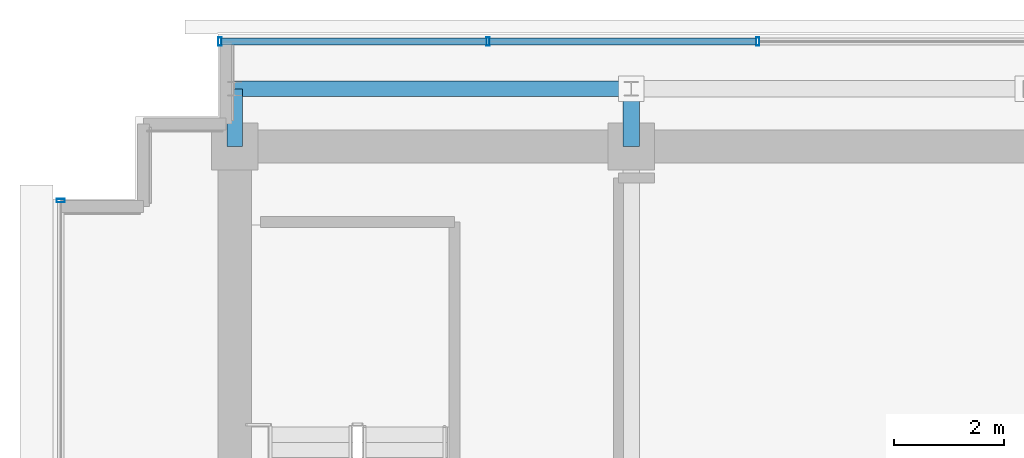
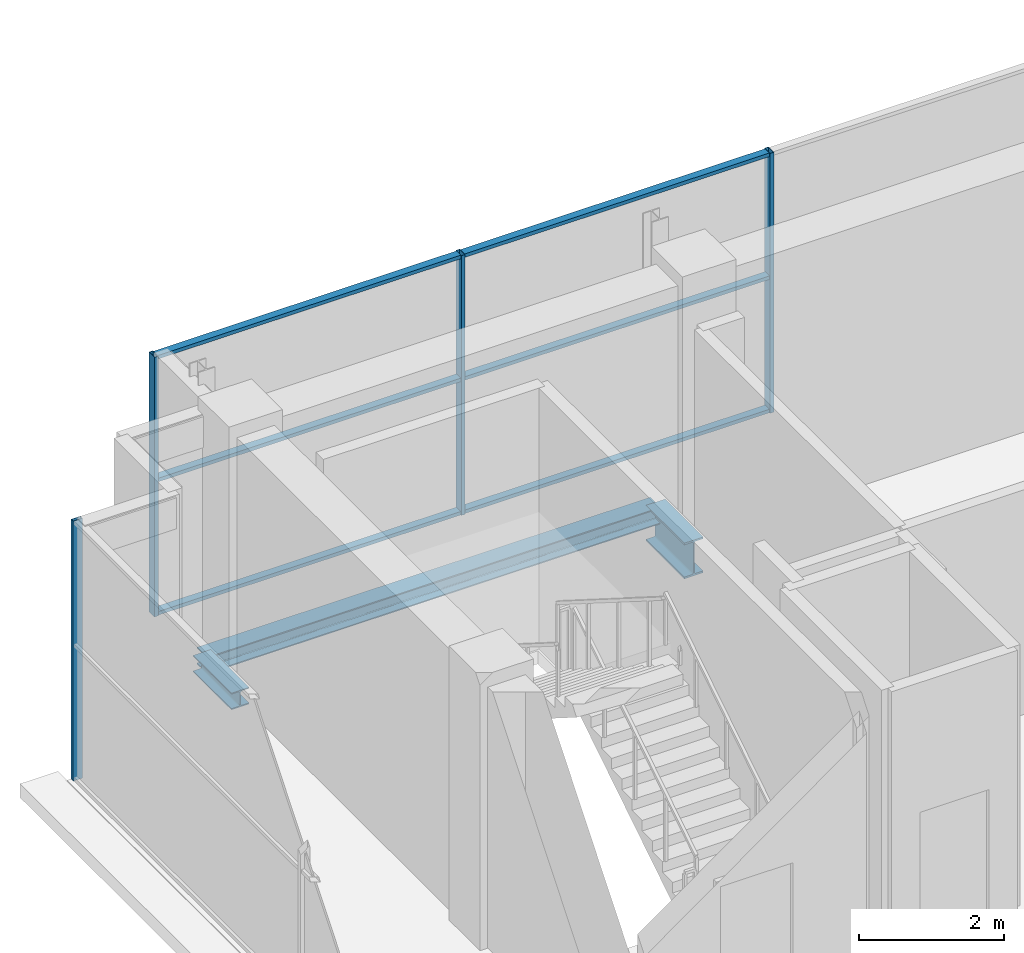
# One storey, part 15 of 27: 10 members, 3 beams, 2 elements without a shape of their own.
"""IFC4 building model written with IfcOpenShell, lengths in metres."""

from ifc_helpers import new_model, si_unit, direction, frame, origin, origin_2d, place, context, subcontext, project, spatial, hollow_rectangle, i_section, extrude, source, transform, mapped, material, layer, layer_set, material_profile, profile_set, type_object, element, aggregate, save


model = new_model("IFC4")

# Units and contexts
model_context = context("Model", 3, precision=1e-05, world=origin(), true_north=direction((0.0, 1.0)))
body_context = subcontext(model_context, "Body", "Model", "MODEL_VIEW")
ifc_project = project(units=[si_unit("LENGTHUNIT", "METRE"), si_unit("AREAUNIT", "SQUARE_METRE"), si_unit("VOLUMEUNIT", "CUBIC_METRE"), si_unit("PLANEANGLEUNIT", "RADIAN"), si_unit("MASSUNIT", "GRAM", prefix="KILO")], contexts=[model_context])

# Site, building, storey
site_placement = place(None, origin())
site = spatial("IfcSite", under=ifc_project, at=site_placement, CompositionType="ELEMENT")
building_placement = place(site_placement, origin())
building = spatial("IfcBuilding", under=site, at=building_placement, Name="Zarnakvel Exchange Tower", CompositionType="ELEMENT")
storey_placement = place(building_placement, frame((0.0, 0.0, 294.60009765625)))
storey = spatial("IfcBuildingStorey", under=building, at=storey_placement, Name="Crown L82", CompositionType="ELEMENT", Elevation=294.60009765625)

# Beams
ifc_material_1 = material(Name="Steel S355", Category="steel")
ifc_material_profile_1 = material_profile(ifc_material_1, i_section(OverallWidth=0.300048828125, OverallDepth=0.60009765625, WebThickness=0.015380859375, FlangeThickness=0.030029296875, FilletRadius=0.027099609375, at=origin_2d()))
ifc_profile_set_1 = profile_set([ifc_material_profile_1], Name="Steel S355")
beam_type_1 = type_object("IfcBeamType", Name="G-04", PredefinedType="BEAM", material=ifc_profile_set_1)
beam_1_placement = place(storey_placement, frame((-7.199951171875, 13.5, -0.52001953125), z_axis=(0.0, 1.0, 0.0), x_axis=(-1.0, 0.0, 0.0)))
element("IfcBeam", 1, at=beam_1_placement, inside=storey, type_object=beam_type_1, Name="Crown L82 Tower N-S Frame Beam", PredefinedType="BEAM", context=body_context, shape_type="SweptSolid", body=[
    extrude(i_section(OverallWidth=0.300048828125, OverallDepth=0.60009765625, WebThickness=0.015380859375, FlangeThickness=0.030029296875, FilletRadius=0.027099609375, at=origin_2d()), origin(), (0.0, 0.0, 1.0), 1.050048828125),
])
ifc_material_profile_2 = material_profile(ifc_material_1, i_section(OverallWidth=0.280029296875, OverallDepth=0.280029296875, WebThickness=0.010498046875, FlangeThickness=0.01806640625, FilletRadius=0.02392578125, at=origin_2d()))
ifc_profile_set_2 = profile_set([ifc_material_profile_2], Name="Steel S355")
beam_type_2 = type_object("IfcBeamType", Name="SP-04", PredefinedType="SPANDREL", material=ifc_profile_set_2)
beam_2_placement = place(storey_placement, frame((-14.39990234375, 14.550048828125, -0.360107421875), z_axis=(1.0, 0.0, 0.0), x_axis=(0.0, 1.0, 0.0)))
element("IfcBeam", 2, at=beam_2_placement, inside=storey, type_object=beam_type_2, Name="Crown L82 Tower E-W Frame Beam", PredefinedType="SPANDREL", context=body_context, shape_type="SweptSolid", body=[
    extrude(i_section(OverallWidth=0.280029296875, OverallDepth=0.280029296875, WebThickness=0.010498046875, FlangeThickness=0.01806640625, FilletRadius=0.02392578125, at=origin_2d()), origin(), (0.0, 0.0, 1.0), 7.199951171875),
])
beam_3_placement = place(storey_placement, frame((-14.39990234375, 13.5, -0.360107421875), z_axis=(0.0, 1.0, 0.0), x_axis=(-1.0, 0.0, 0.0)))
element("IfcBeam", 3, at=beam_3_placement, inside=storey, type_object=beam_type_2, Name="Crown L82 Tower N-S Frame Beam", PredefinedType="SPANDREL", context=body_context, shape_type="SweptSolid", body=[
    extrude(i_section(OverallWidth=0.280029296875, OverallDepth=0.280029296875, WebThickness=0.010498046875, FlangeThickness=0.01806640625, FilletRadius=0.02392578125, at=origin_2d()), origin(), (0.0, 0.0, 1.0), 1.050048828125),
])

# Curtain wall, members
ifc_material_2 = material(Name="Architectural Bronze Anodised Aluminium", Category="aluminium")
ifc_layer = layer(ifc_material_2, 0.14990234375)
ifc_layer_set = layer_set([ifc_layer], Name="Architectural Bronze Anodised Aluminium")
curtain_wall_type = type_object("IfcCurtainWallType", Name="CW-07", PredefinedType="NOTDEFINED", material=ifc_layer_set)
curtain_wall_1_placement = place(storey_placement, origin())
curtain_wall_1 = element("IfcCurtainWall", 4, at=curtain_wall_1_placement, inside=storey, type_object=curtain_wall_type, Name="Crown L82 Curtain Wall CW-Crown L82-N (CW-07)", PredefinedType="NOTDEFINED")
ifc_material_profile_3 = material_profile(ifc_material_2, hollow_rectangle(XDim=0.14990234375, YDim=0.06005859375, WallThickness=0.00390625, at=origin_2d()))
ifc_profile_set_3 = profile_set([ifc_material_profile_3], Name="Architectural Bronze Anodised Aluminium")
member_type_1 = type_object("IfcMemberType", Name="CWM-07", PredefinedType="MULLION", material=ifc_profile_set_3)
shared_shape_1 = source(origin(), body_context, "Body", "SweptSolid", [
    extrude(hollow_rectangle(XDim=0.14990234375, YDim=0.06005859375, WallThickness=0.00390625, at=origin_2d()), origin(), (0.0, 0.0, 1.0), 4.35986328125),
])
member_1_placement = place(storey_placement, frame((-14.669921875, 15.409912109375, 0.0), z_axis=(0.0, 0.0, 1.0), x_axis=(0.0, 1.0, 0.0)))
member_1 = element("IfcMember", 5, at=member_1_placement, type_object=member_type_1, Name="CW-07 mullion 1", PredefinedType="MULLION", context=body_context, shape_type="MappedRepresentation", body=[
    mapped(shared_shape_1, transform((0.0, 0.0, 0.0), x_axis=(1.0, 0.0, 0.0), y_axis=(0.0, 1.0, 0.0), z_axis=(0.0, 0.0, 1.0), scale=1.0)),
])
member_2_placement = place(storey_placement, frame((-9.800048828125, 15.409912109375, 0.0), z_axis=(0.0, 0.0, 1.0), x_axis=(0.0, 1.0, 0.0)))
member_2 = element("IfcMember", 6, at=member_2_placement, type_object=member_type_1, Name="CW-07 mullion 2", PredefinedType="MULLION", context=body_context, shape_type="MappedRepresentation", body=[
    mapped(shared_shape_1, transform((0.0, 0.0, 0.0), x_axis=(1.0, 0.0, 0.0), y_axis=(0.0, 1.0, 0.0), z_axis=(0.0, 0.0, 1.0), scale=1.0)),
])
member_3_placement = place(storey_placement, frame((-4.89990234375, 15.409912109375, 0.0), z_axis=(0.0, 0.0, 1.0), x_axis=(0.0, 1.0, 0.0)))
member_3 = element("IfcMember", 7, at=member_3_placement, type_object=member_type_1, Name="CW-07 mullion 3", PredefinedType="MULLION", context=body_context, shape_type="MappedRepresentation", body=[
    mapped(shared_shape_1, transform((0.0, 0.0, 0.0), x_axis=(1.0, 0.0, 0.0), y_axis=(0.0, 1.0, 0.0), z_axis=(0.0, 0.0, 1.0), scale=1.0)),
])

# Curtain wall, member
curtain_wall_2_placement = place(storey_placement, origin())
curtain_wall_2 = element("IfcCurtainWall", 8, at=curtain_wall_2_placement, inside=storey, type_object=curtain_wall_type, Name="Crown L82 Curtain Wall CW-Crown L82-W (CW-07)", PredefinedType="NOTDEFINED")
member_4_placement = place(storey_placement, frame((-17.56005859375, 12.52001953125, 0.0), z_axis=(0.0, 0.0, 1.0), x_axis=(-1.0, 0.0, 0.0)))
member_4 = element("IfcMember", 9, at=member_4_placement, type_object=member_type_1, Name="CW-07 mullion 5", PredefinedType="MULLION", context=body_context, shape_type="MappedRepresentation", body=[
    mapped(shared_shape_1, transform((0.0, 0.0, 0.0), x_axis=(1.0, 0.0, 0.0), y_axis=(0.0, 1.0, 0.0), z_axis=(0.0, 0.0, 1.0), scale=1.0)),
])
aggregate(curtain_wall_2, [member_4])

# Member
ifc_material_profile_4 = material_profile(ifc_material_2, hollow_rectangle(XDim=0.1201171875, YDim=0.06005859375, WallThickness=0.00390625, at=origin_2d()))
ifc_profile_set_4 = profile_set([ifc_material_profile_4], Name="Architectural Bronze Anodised Aluminium")
member_type_2 = type_object("IfcMemberType", Name="CWT-07", PredefinedType="USERDEFINED", material=ifc_profile_set_4)
shared_shape_2 = source(origin(), body_context, "Body", "SweptSolid", [
    extrude(hollow_rectangle(XDim=0.1201171875, YDim=0.06005859375, WallThickness=0.00390625, at=origin_2d()), origin(), (0.0, 0.0, 1.0), 4.809814453125),
])
member_5_placement = place(storey_placement, frame((-14.639892578125, 15.409912109375, 0.02978515625), z_axis=(1.0, 0.0, 0.0), x_axis=(0.0, 1.0, 0.0)))
member_5 = element("IfcMember", 10, at=member_5_placement, type_object=member_type_2, Name="CW-07 transom 1.1", ObjectType="TRANSOM", PredefinedType="USERDEFINED", context=body_context, shape_type="MappedRepresentation", body=[
    mapped(shared_shape_2, transform((0.0, 0.0, 0.0), x_axis=(1.0, 0.0, 0.0), y_axis=(0.0, 1.0, 0.0), z_axis=(0.0, 0.0, 1.0), scale=1.0)),
])

member_6_placement = place(storey_placement, frame((-14.639892578125, 15.409912109375, 2.26708984375), z_axis=(1.0, 0.0, 0.0), x_axis=(0.0, 1.0, 0.0)))
member_6 = element("IfcMember", 11, at=member_6_placement, type_object=member_type_2, Name="CW-07 transom 1.2", ObjectType="TRANSOM", PredefinedType="USERDEFINED", context=body_context, shape_type="MappedRepresentation", body=[
    mapped(shared_shape_2, transform((0.0, 0.0, 0.0), x_axis=(1.0, 0.0, 0.0), y_axis=(0.0, 1.0, 0.0), z_axis=(0.0, 0.0, 1.0), scale=1.0)),
])

member_7_placement = place(storey_placement, frame((-14.639892578125, 15.409912109375, 4.329833984375), z_axis=(1.0, 0.0, 0.0), x_axis=(0.0, 1.0, 0.0)))
member_7 = element("IfcMember", 12, at=member_7_placement, type_object=member_type_2, Name="CW-07 transom 1.3", ObjectType="TRANSOM", PredefinedType="USERDEFINED", context=body_context, shape_type="MappedRepresentation", body=[
    mapped(shared_shape_2, transform((0.0, 0.0, 0.0), x_axis=(1.0, 0.0, 0.0), y_axis=(0.0, 1.0, 0.0), z_axis=(0.0, 0.0, 1.0), scale=1.0)),
])

shared_shape_3 = source(origin(), body_context, "Body", "SweptSolid", [
    extrude(hollow_rectangle(XDim=0.1201171875, YDim=0.06005859375, WallThickness=0.00390625, at=origin_2d()), origin(), (0.0, 0.0, 1.0), 4.840087890625),
])
member_8_placement = place(storey_placement, frame((-9.77001953125, 15.409912109375, 0.02978515625), z_axis=(1.0, 0.0, 0.0), x_axis=(0.0, 1.0, 0.0)))
member_8 = element("IfcMember", 13, at=member_8_placement, type_object=member_type_2, Name="CW-07 transom 2.1", ObjectType="TRANSOM", PredefinedType="USERDEFINED", context=body_context, shape_type="MappedRepresentation", body=[
    mapped(shared_shape_3, transform((0.0, 0.0, 0.0), x_axis=(1.0, 0.0, 0.0), y_axis=(0.0, 1.0, 0.0), z_axis=(0.0, 0.0, 1.0), scale=1.0)),
])

member_9_placement = place(storey_placement, frame((-9.77001953125, 15.409912109375, 2.26708984375), z_axis=(1.0, 0.0, 0.0), x_axis=(0.0, 1.0, 0.0)))
member_9 = element("IfcMember", 14, at=member_9_placement, type_object=member_type_2, Name="CW-07 transom 2.2", ObjectType="TRANSOM", PredefinedType="USERDEFINED", context=body_context, shape_type="MappedRepresentation", body=[
    mapped(shared_shape_3, transform((0.0, 0.0, 0.0), x_axis=(1.0, 0.0, 0.0), y_axis=(0.0, 1.0, 0.0), z_axis=(0.0, 0.0, 1.0), scale=1.0)),
])

member_10_placement = place(storey_placement, frame((-9.77001953125, 15.409912109375, 4.329833984375), z_axis=(1.0, 0.0, 0.0), x_axis=(0.0, 1.0, 0.0)))
member_10 = element("IfcMember", 15, at=member_10_placement, type_object=member_type_2, Name="CW-07 transom 2.3", ObjectType="TRANSOM", PredefinedType="USERDEFINED", context=body_context, shape_type="MappedRepresentation", body=[
    mapped(shared_shape_3, transform((0.0, 0.0, 0.0), x_axis=(1.0, 0.0, 0.0), y_axis=(0.0, 1.0, 0.0), z_axis=(0.0, 0.0, 1.0), scale=1.0)),
])

aggregate(curtain_wall_1, [member_1, member_2, member_3, member_5, member_6, member_7, member_8, member_9, member_10])

save(model, "model.ifc")
